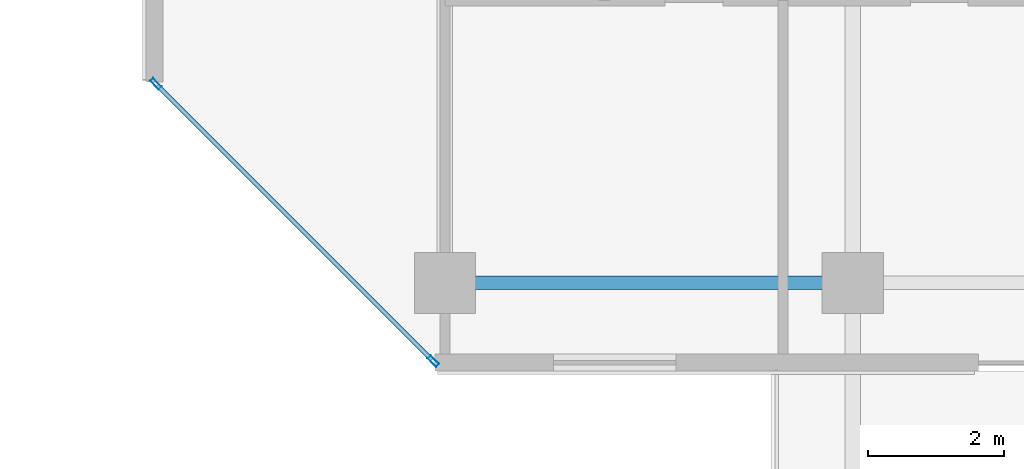
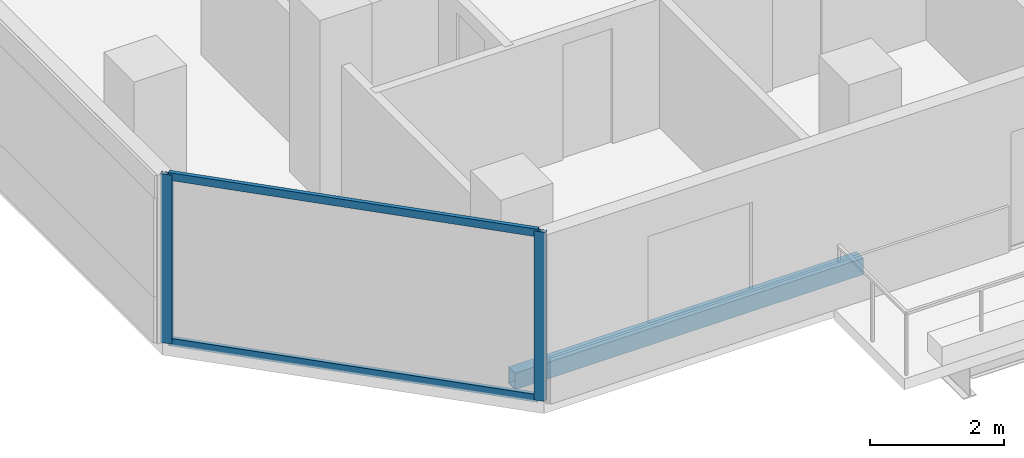
# One storey, part 2 of 29: 4 members, 1 beam, 1 element without a shape of its own.
"""IFC4 building model written with IfcOpenShell, lengths in metres."""

from ifc_helpers import new_model, si_unit, direction, frame, origin, origin_2d, place, context, subcontext, project, spatial, hollow_rectangle, extrude, material, layer, layer_set, material_profile, profile_set, type_object, element, aggregate, save


model = new_model("IFC4")

# Units and contexts
model_context = context("Model", 3, precision=1e-05, world=origin(), true_north=direction((0.0, 1.0)))
body_context = subcontext(model_context, "Body", "Model", "MODEL_VIEW")
ifc_project = project(units=[si_unit("LENGTHUNIT", "METRE"), si_unit("AREAUNIT", "SQUARE_METRE"), si_unit("VOLUMEUNIT", "CUBIC_METRE"), si_unit("PLANEANGLEUNIT", "RADIAN"), si_unit("MASSUNIT", "GRAM", prefix="KILO")], contexts=[model_context])

# Site, building, storey
site_placement = place(None, origin())
site = spatial("IfcSite", under=ifc_project, at=site_placement, CompositionType="ELEMENT")
building_placement = place(site_placement, origin())
building = spatial("IfcBuilding", under=site, at=building_placement, Name="Tanjung Sevakor Pilgrim Tower", CompositionType="ELEMENT")
storey_placement = place(building_placement, frame((0.0, 0.0, 151.800048828125)))
storey = spatial("IfcBuildingStorey", under=building, at=storey_placement, Name="L42", CompositionType="ELEMENT", Elevation=151.800048828125)

# Beam
ifc_material_1 = material(Name="Steel S355J2", Category="steel")
ifc_material_profile_1 = material_profile(ifc_material_1, hollow_rectangle(XDim=0.199951171875, YDim=0.300048828125, WallThickness=0.012451171875, at=origin_2d()))
ifc_profile_set_1 = profile_set([ifc_material_profile_1], Name="Steel S355J2")
beam_type = type_object("IfcBeamType", Name="BM-B-SP3-RHS_300x200x12.5", PredefinedType="SPANDREL", material=ifc_profile_set_1)
beam_placement = place(storey_placement, frame((24.0, 13.199951171875, -0.3701171875), z_axis=(1.0, 0.0, 0.0), x_axis=(0.0, 1.0, 0.0)))
element("IfcBeam", 1, at=beam_placement, inside=storey, type_object=beam_type, Name="L42 Spandrel MAIN S-01", PredefinedType="SPANDREL", context=body_context, shape_type="SweptSolid", body=[
    extrude(hollow_rectangle(XDim=0.199951171875, YDim=0.300048828125, WallThickness=0.012451171875, at=origin_2d()), origin(), (0.0, 0.0, 1.0), 6.0),
])

# Curtain wall, members
ifc_material_2 = material(Name="Aluminium 6063-T6 and Low-E Glass", Category="aluminium")
ifc_layer = layer(ifc_material_2, 0.179931640625)
ifc_layer_set = layer_set([ifc_layer], Name="CW-SYS-CHAM")
curtain_wall_type = type_object("IfcCurtainWallType", Name="CW-SYS-CHAM", PredefinedType="NOTDEFINED", material=ifc_layer_set)
curtain_wall_placement = place(storey_placement, origin())
curtain_wall = element("IfcCurtainWall", 2, at=curtain_wall_placement, inside=storey, type_object=curtain_wall_type, Name="L42 Curtain Wall CW-CHM-L42-MAIN-15", PredefinedType="NOTDEFINED")
ifc_material_3 = material(Name="Aluminium 6063-T6", Category="aluminium")
ifc_material_profile_2 = material_profile(ifc_material_3, hollow_rectangle(XDim=0.06494140625, YDim=0.179931640625, WallThickness=0.00390625, at=origin_2d()))
ifc_profile_set_2 = profile_set([ifc_material_profile_2], Name="Aluminium 6063-T6")
member_type_1 = type_object("IfcMemberType", Name="TYPE-CWM-1", PredefinedType="MULLION", material=ifc_profile_set_2)
member_1_placement = place(storey_placement, frame((19.748046875, 16.12890625, 0.0), z_axis=(0.0, 0.0, 1.0), x_axis=(0.707106781187, 0.707106781187, 0.0)))
member_1 = element("IfcMember", 3, at=member_1_placement, type_object=member_type_1, Name="CW-CHM mullion 1", PredefinedType="MULLION", context=body_context, shape_type="SweptSolid", body=[
    extrude(hollow_rectangle(XDim=0.06494140625, YDim=0.179931640625, WallThickness=0.00390625, at=origin_2d()), origin(), (0.0, 0.0, 1.0), 3.079833984375),
])
member_2_placement = place(storey_placement, frame((23.828857421875, 12.048095703125, 0.0), z_axis=(0.0, 0.0, 1.0), x_axis=(0.707106781187, 0.707106781187, 0.0)))
member_2 = element("IfcMember", 4, at=member_2_placement, type_object=member_type_1, Name="CW-CHM mullion 2", PredefinedType="MULLION", context=body_context, shape_type="SweptSolid", body=[
    extrude(hollow_rectangle(XDim=0.06494140625, YDim=0.179931640625, WallThickness=0.00390625, at=origin_2d()), origin(), (0.0, 0.0, 1.0), 3.079833984375),
])
ifc_material_4 = material(Name="Aluminium 6063-T6", Category="aluminium")
ifc_material_profile_3 = material_profile(ifc_material_4, hollow_rectangle(XDim=0.06494140625, YDim=0.139892578125, WallThickness=0.00390625, at=origin_2d()))
ifc_profile_set_3 = profile_set([ifc_material_profile_3], Name="Aluminium 6063-T6")
member_type_2 = type_object("IfcMemberType", Name="TYPE-CWT-1", PredefinedType="USERDEFINED", material=ifc_profile_set_3)
member_3_placement = place(storey_placement, frame((19.77099609375, 16.10595703125, 0.032470703125), z_axis=(0.707106781187, -0.707106781187, 0.0), x_axis=(0.707106781187, 0.707106781187, 0.0)))
member_3 = element("IfcMember", 5, at=member_3_placement, type_object=member_type_2, Name="CW-CHM transom 1.1", ObjectType="TRANSOM", PredefinedType="USERDEFINED", context=body_context, shape_type="SweptSolid", body=[
    extrude(hollow_rectangle(XDim=0.06494140625, YDim=0.139892578125, WallThickness=0.00390625, at=origin_2d()), origin(), (0.0, 0.0, 1.0), 5.706298828125),
])
member_4_placement = place(storey_placement, frame((19.77099609375, 16.10595703125, 3.04736328125), z_axis=(0.707106781187, -0.707106781187, 0.0), x_axis=(0.707106781187, 0.707106781187, 0.0)))
member_4 = element("IfcMember", 6, at=member_4_placement, type_object=member_type_2, Name="CW-CHM transom 1.2", ObjectType="TRANSOM", PredefinedType="USERDEFINED", context=body_context, shape_type="SweptSolid", body=[
    extrude(hollow_rectangle(XDim=0.06494140625, YDim=0.139892578125, WallThickness=0.00390625, at=origin_2d()), origin(), (0.0, 0.0, 1.0), 5.706298828125),
])
aggregate(curtain_wall, [member_1, member_2, member_3, member_4])

save(model, "model.ifc")
